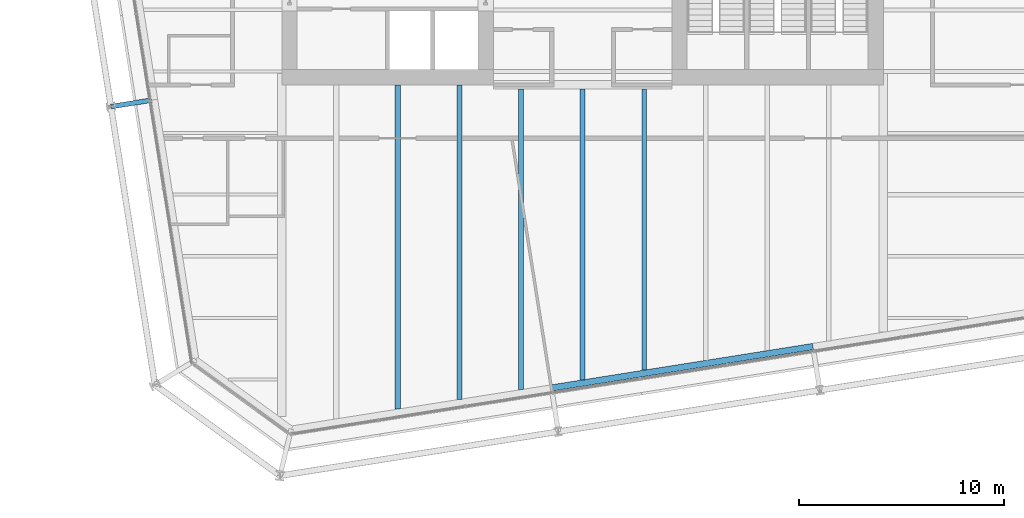
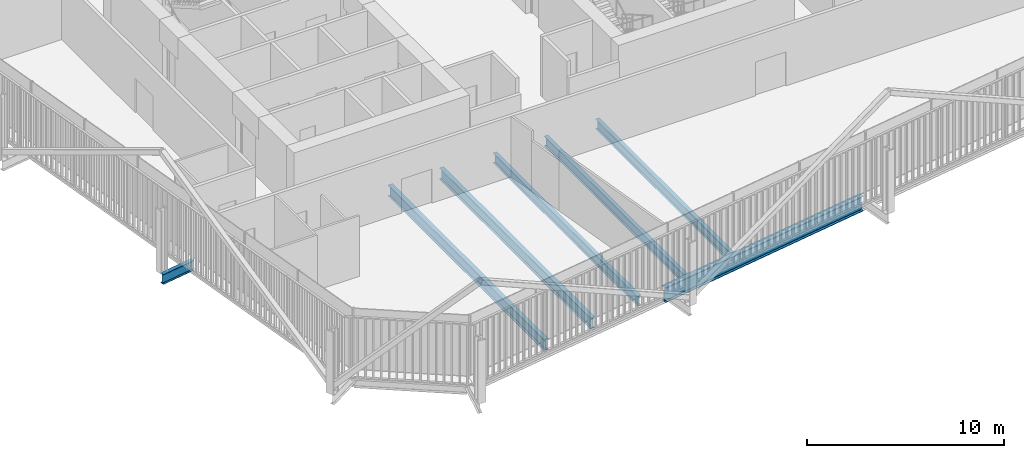
# One storey, part 3 of 22: 7 beams.
"""IFC4 building model written with IfcOpenShell, lengths in metres."""

from ifc_helpers import new_model, si_unit, direction, frame, origin, origin_2d, place, context, subcontext, project, spatial, i_section, extrude, material, material_profile, profile_set, type_object, element, save


model = new_model("IFC4")

# Units and contexts
model_context = context("Model", 3, precision=1e-05, world=origin(), true_north=direction((0.0, 1.0)))
body_context = subcontext(model_context, "Body", "Model", "MODEL_VIEW")
ifc_project = project(units=[si_unit("LENGTHUNIT", "METRE"), si_unit("AREAUNIT", "SQUARE_METRE"), si_unit("VOLUMEUNIT", "CUBIC_METRE"), si_unit("PLANEANGLEUNIT", "RADIAN"), si_unit("MASSUNIT", "GRAM", prefix="KILO")], contexts=[model_context])

# Site, building, storey
site_placement = place(None, origin())
site = spatial("IfcSite", under=ifc_project, at=site_placement, CompositionType="ELEMENT")
building_placement = place(site_placement, origin())
building = spatial("IfcBuilding", under=site, at=building_placement, Name="Millrace Tower", CompositionType="ELEMENT")
storey_placement = place(building_placement, frame((0.0, 0.0, 160.699951171875)))
storey = spatial("IfcBuildingStorey", under=building, at=storey_placement, Name="L36", CompositionType="ELEMENT", Elevation=160.699951171875)

# Beams
ifc_material_1 = material(Name="Steel ASTM A992 Grade 50", Category="steel")
ifc_material_profile_1 = material_profile(ifc_material_1, i_section(OverallWidth=0.228271484375, OverallDepth=0.607177734375, WebThickness=0.01123046875, FlangeThickness=0.017333984375, FilletRadius=0.0126953125, at=origin_2d()))
ifc_profile_set_1 = profile_set([ifc_material_profile_1], Name="Steel ASTM A992 Grade 50")
beam_type_1 = type_object("IfcBeamType", Name="Floor beam W24x76", PredefinedType="JOIST", material=ifc_profile_set_1)
beam_1_placement = place(storey_placement, frame((-3.0, -24.4970703125, -0.46337890625), z_axis=(0.0, 1.0, 0.0), x_axis=(-1.0, 0.0, 0.0)))
element("IfcBeam", 1, at=beam_1_placement, inside=storey, type_object=beam_type_1, Name="BM-C-L36-S1-S046", PredefinedType="JOIST", context=body_context, shape_type="SweptSolid", body=[
    extrude(i_section(OverallWidth=0.228271484375, OverallDepth=0.607177734375, WebThickness=0.01123046875, FlangeThickness=0.017333984375, FilletRadius=0.0126953125, at=origin_2d()), origin(), (0.0, 0.0, 1.0), 14.637451171875),
])
beam_2_placement = place(storey_placement, frame((0.0, -24.021728515625, -0.46337890625), z_axis=(0.0, 1.0, 0.0), x_axis=(-1.0, 0.0, 0.0)))
element("IfcBeam", 2, at=beam_2_placement, inside=storey, type_object=beam_type_1, Name="BM-C-L36-S1-S048", PredefinedType="JOIST", context=body_context, shape_type="SweptSolid", body=[
    extrude(i_section(OverallWidth=0.228271484375, OverallDepth=0.607177734375, WebThickness=0.01123046875, FlangeThickness=0.017333984375, FilletRadius=0.0126953125, at=origin_2d()), origin(), (0.0, 0.0, 1.0), 14.162109375),
])
beam_3_placement = place(storey_placement, frame((3.0, -23.546630859375, -0.46337890625), z_axis=(0.0, 1.0, 0.0), x_axis=(-1.0, 0.0, 0.0)))
element("IfcBeam", 3, at=beam_3_placement, inside=storey, type_object=beam_type_1, Name="BM-C-L36-S1-S050", PredefinedType="JOIST", context=body_context, shape_type="SweptSolid", body=[
    extrude(i_section(OverallWidth=0.228271484375, OverallDepth=0.607177734375, WebThickness=0.01123046875, FlangeThickness=0.017333984375, FilletRadius=0.0126953125, at=origin_2d()), origin(), (0.0, 0.0, 1.0), 13.68701171875),
])
ifc_material_2 = material(Name="Steel ASTM A992 Grade 50", Category="steel")
ifc_material_profile_2 = material_profile(ifc_material_2, i_section(OverallWidth=0.256591796875, OverallDepth=0.693359375, WebThickness=0.014404296875, FlangeThickness=0.023681640625, FilletRadius=0.01513671875, at=origin_2d()))
ifc_profile_set_2 = profile_set([ifc_material_profile_2], Name="Steel ASTM A992 Grade 50")
beam_type_2 = type_object("IfcBeamType", Name="Floor beam W27x114", PredefinedType="JOIST", material=ifc_profile_set_2)
beam_4_placement = place(storey_placement, frame((-9.0, -25.447265625, -0.506591796875), z_axis=(0.0, 1.0, 0.0), x_axis=(-1.0, 0.0, 0.0)))
element("IfcBeam", 4, at=beam_4_placement, inside=storey, type_object=beam_type_2, Name="BM-C-L36-S1-S042", PredefinedType="JOIST", context=body_context, shape_type="SweptSolid", body=[
    extrude(i_section(OverallWidth=0.256591796875, OverallDepth=0.693359375, WebThickness=0.014404296875, FlangeThickness=0.023681640625, FilletRadius=0.01513671875, at=origin_2d()), origin(), (0.0, 0.0, 1.0), 15.79736328125),
])
beam_5_placement = place(storey_placement, frame((-6.0, -24.97216796875, -0.506591796875), z_axis=(0.0, 1.0, 0.0), x_axis=(-1.0, 0.0, 0.0)))
element("IfcBeam", 5, at=beam_5_placement, inside=storey, type_object=beam_type_2, Name="BM-C-L36-S1-S044", PredefinedType="JOIST", context=body_context, shape_type="SweptSolid", body=[
    extrude(i_section(OverallWidth=0.256591796875, OverallDepth=0.693359375, WebThickness=0.014404296875, FlangeThickness=0.023681640625, FilletRadius=0.01513671875, at=origin_2d()), origin(), (0.0, 0.0, 1.0), 15.322265625),
])
ifc_material_3 = material(Name="Steel ASTM A992 Grade 50", Category="steel")
ifc_material_profile_3 = material_profile(ifc_material_3, i_section(OverallWidth=0.23046875, OverallDepth=0.6171875, WebThickness=0.01318359375, FlangeThickness=0.022216796875, FilletRadius=0.012939453125, at=origin_2d()))
ifc_profile_set_3 = profile_set([ifc_material_profile_3], Name="Steel ASTM A992 Grade 50")
beam_type_3 = type_object("IfcBeamType", Name="Link beam W24x94", PredefinedType="BEAM", material=ifc_profile_set_3)
beam_6_placement = place(storey_placement, frame((-21.001708984375, -10.396728515625, -0.468505859375), z_axis=(-0.987678691416, -0.156495375404, 0.0), x_axis=(0.156495375404, -0.987678691416, 0.0)))
element("IfcBeam", 6, at=beam_6_placement, inside=storey, type_object=beam_type_3, Name="LNK-C-L36-S1-02", PredefinedType="BEAM", context=body_context, shape_type="SweptSolid", body=[
    extrude(i_section(OverallWidth=0.23046875, OverallDepth=0.6171875, WebThickness=0.01318359375, FlangeThickness=0.022216796875, FilletRadius=0.012939453125, at=origin_2d()), origin(), (0.0, 0.0, 1.0), 2.0),
])
ifc_material_4 = material(Name="Steel ASTM A992 Grade 50", Category="steel")
ifc_material_profile_4 = material_profile(ifc_material_4, i_section(OverallWidth=0.307373046875, OverallDepth=0.927001953125, WebThickness=0.01953125, FlangeThickness=0.031982421875, FilletRadius=0.01904296875, at=origin_2d()))
ifc_profile_set_4 = profile_set([ifc_material_profile_4], Name="Steel ASTM A992 Grade 50")
beam_type_4 = type_object("IfcBeamType", Name="Ring beam medium span W36x194", PredefinedType="SPANDREL", material=ifc_profile_set_4)
beam_7_placement = place(storey_placement, frame((11.22265625, -22.39990234375, -0.62353515625), z_axis=(-0.987687196578, -0.156441687909, 0.0), x_axis=(0.156441687909, -0.987687196578, 0.0)))
element("IfcBeam", 7, at=beam_7_placement, inside=storey, type_object=beam_type_4, Name="RNG-C-L36-S1-14", PredefinedType="SPANDREL", context=body_context, shape_type="SweptSolid", body=[
    extrude(i_section(OverallWidth=0.307373046875, OverallDepth=0.927001953125, WebThickness=0.01953125, FlangeThickness=0.031982421875, FilletRadius=0.01904296875, at=origin_2d()), origin(), (0.0, 0.0, 1.0), 12.89990234375),
])

save(model, "model.ifc")
